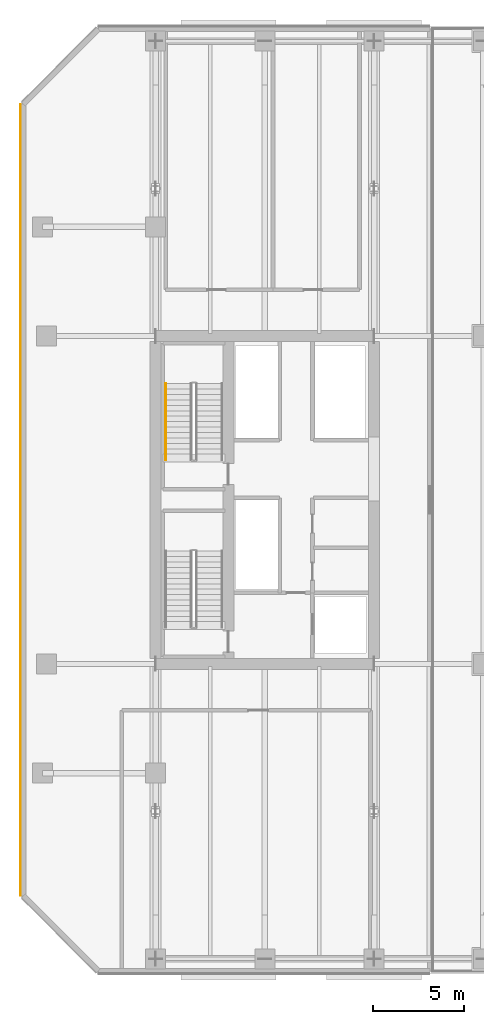
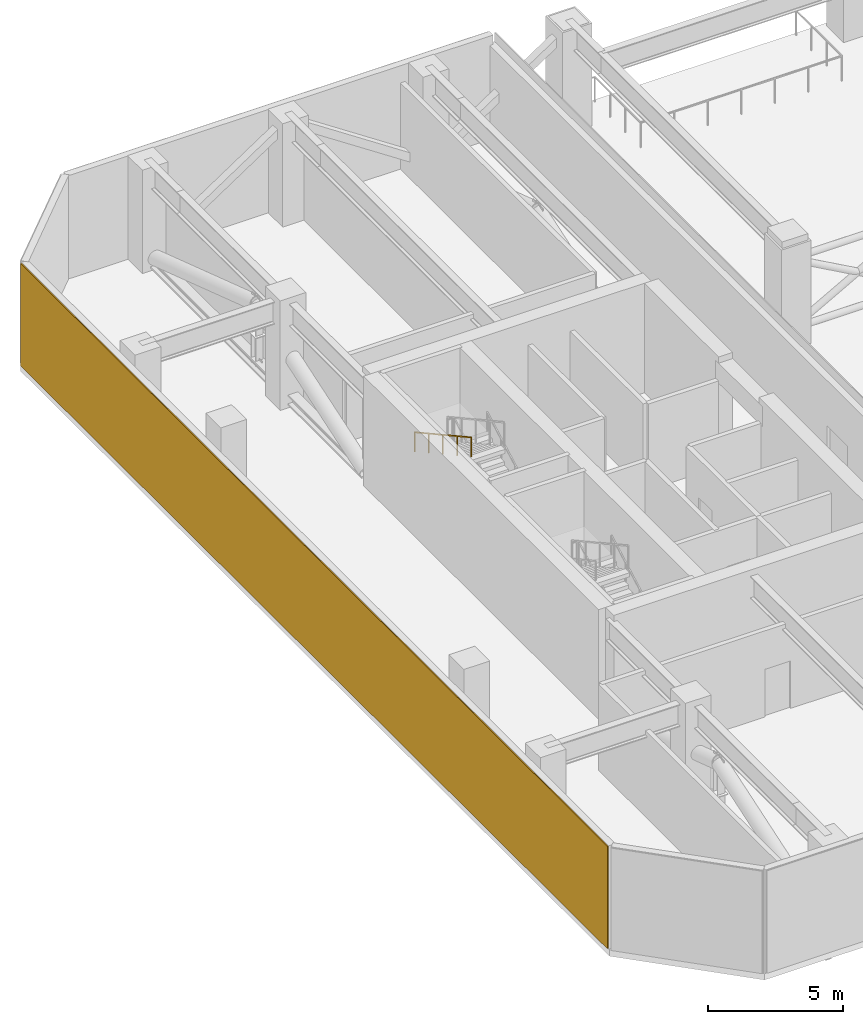
# One storey, part 15 of 22: 1 covering, 1 railing.
"""IFC4 building model written with IfcOpenShell, lengths in metres."""

import ifcopenshell
import ifcopenshell.guid

model = None  # the IFC model being written
_history = None  # IfcOwnerHistory: only IFC2X3 demands one
_inside = {}  # id of a spatial element -> (the spatial element, [elements in it])
_under = {}  # id of a project, library or spatial element -> (it, [spatial elements below it])
_declared = {}  # id of a project -> (the project, [libraries it declares])
_typed = {}  # id of a type object -> (the type object, [elements of that type])
_made_of = {}  # id of a material, layer set ... -> (it, [elements and type objects made of it])


def new_model(schema):
    """Start an empty IFC model of exactly this schema.

    Asked for "IFC4X3", IfcOpenShell would pick the latest addendum, in which some entities
    have other attributes; the version numbers below select the first issue.
    IFC2X3 requires an IfcOwnerHistory on every rooted entity: one is made here for all.
    """
    global model, _history
    if schema == "IFC4X3":
        model = ifcopenshell.file(schema_version=(4, 3, 0, 0))
    else:
        model = ifcopenshell.file(schema=schema)
    _inside.clear()
    _under.clear()
    _declared.clear()
    _typed.clear()
    _made_of.clear()
    _history = None
    if model.schema == "IFC2X3":
        org = make("IfcOrganization", Name="unknown")
        user = make(
            "IfcPersonAndOrganization",
            ThePerson=make("IfcPerson", FamilyName="unknown"),
            TheOrganization=org,
        )
        app = make(
            "IfcApplication",
            ApplicationDeveloper=org,
            Version="unknown",
            ApplicationFullName="unknown",
            ApplicationIdentifier="unknown",
        )
        _history = make(
            "IfcOwnerHistory",
            OwningUser=user,
            OwningApplication=app,
            ChangeAction="ADDED",
            CreationDate=0,
        )
    return model


def make(cls, **values):
    """One entity of the class cls with the attributes given. An attribute that is None is left unset."""
    return model.create_entity(
        cls, **{name: value for name, value in values.items() if value is not None}
    )


def rooted(cls, **values):
    """An entity with a GlobalId (a new one), such as an element, a storey or a relation."""
    return make(cls, GlobalId=ifcopenshell.guid.new(), OwnerHistory=_history, **values)


def si_unit(unit_type, name, prefix=None):
    """IfcSIUnit, for example si_unit("LENGTHUNIT", "METRE", prefix="MILLI")."""
    return make("IfcSIUnit", UnitType=unit_type, Prefix=prefix, Name=name)


def assignment(units):
    """IfcUnitAssignment: the units of a project."""
    return None if units is None else make("IfcUnitAssignment", Units=units)


def point(xyz):
    """IfcCartesianPoint."""
    return None if xyz is None else make("IfcCartesianPoint", Coordinates=xyz)


def direction(xyz):
    """IfcDirection."""
    return None if xyz is None else make("IfcDirection", DirectionRatios=xyz)


def frame(location, z_axis=None, x_axis=None):
    """IfcAxis2Placement3D, a coordinate frame: its origin and axes. An axis left out is left unset."""
    return make(
        "IfcAxis2Placement3D",
        Location=point(location),
        Axis=direction(z_axis),
        RefDirection=direction(x_axis),
    )


def frame_2d(location, x_axis=None):
    """IfcAxis2Placement2D, a coordinate frame in the plane: its origin and x axis."""
    return make(
        "IfcAxis2Placement2D", Location=point(location), RefDirection=direction(x_axis)
    )


def origin():
    """The frame at (0, 0, 0) with its axes left unset."""
    return frame((0.0, 0.0, 0.0))


def origin_2d():
    """The frame at (0, 0) in the plane with its x axis left unset."""
    return frame_2d((0.0, 0.0))


def place(relative_to, where):
    """IfcLocalPlacement: puts the frame where relative to a parent placement (None: the world)."""
    return make(
        "IfcLocalPlacement", PlacementRelTo=relative_to, RelativePlacement=where
    )


def context(
    kind, dimensions, precision=None, world=None, true_north=None, identifier=None
):
    """IfcGeometricRepresentationContext, for example the 3D "Model" context."""
    return make(
        "IfcGeometricRepresentationContext",
        ContextIdentifier=identifier,
        ContextType=kind,
        CoordinateSpaceDimension=dimensions,
        Precision=precision,
        WorldCoordinateSystem=world,
        TrueNorth=true_north,
    )


def subcontext(parent, identifier, kind, view, scale=None):
    """IfcGeometricRepresentationSubContext, for example "Body" below "Model"."""
    return make(
        "IfcGeometricRepresentationSubContext",
        ContextIdentifier=identifier,
        ContextType=kind,
        ParentContext=parent,
        TargetScale=scale,
        TargetView=view,
    )


def project(units=None, contexts=None):
    """IfcProject with its units and contexts."""
    return rooted(
        "IfcProject",
        Name="project",
        RepresentationContexts=contexts,
        UnitsInContext=assignment(units),
    )


def spatial(cls, under=None, at=None, **own):
    """A site, building, storey or space (cls), placed at a placement, below another one or the project."""
    s = rooted(cls, ObjectPlacement=at, **own)
    if under is not None:
        _under.setdefault(under.id(), (under, []))[1].append(s)
    return s


def profile(cls, at=None, kind="AREA", **sizes):
    """A parametric profile (cls). Its sizes go by their IFC names, for example OverallWidth=200.0."""
    return make(cls, ProfileType=kind, Position=at, **sizes)


def rectangle(**sizes):
    """IfcRectangleProfileDef."""
    return profile("IfcRectangleProfileDef", **sizes)


def extrude(swept, where, along, depth):
    """IfcExtrudedAreaSolid: the profile swept, set in the frame where, extruded along a direction by depth."""
    return make(
        "IfcExtrudedAreaSolid",
        SweptArea=swept,
        Position=where,
        ExtrudedDirection=direction(along),
        Depth=depth,
    )


def shape(context_of_items, identifier, shape_type, items):
    """IfcShapeRepresentation: the items that make up one representation, for example the "Body"."""
    return make(
        "IfcShapeRepresentation",
        ContextOfItems=context_of_items,
        RepresentationIdentifier=identifier,
        RepresentationType=shape_type,
        Items=items,
    )


def material(Name=None, Category=None):
    """IfcMaterial."""
    return make("IfcMaterial", Name=Name, Category=Category)


def layer(
    of_material, thickness, ventilated=None, Name=None, Category=None, Priority=None
):
    """IfcMaterialLayer: one layer of a wall or slab, of a material (None: an air gap)."""
    return make(
        "IfcMaterialLayer",
        Material=of_material,
        LayerThickness=thickness,
        IsVentilated=ventilated,
        Name=Name,
        Category=Category,
        Priority=Priority,
    )


def layer_set(layers, Name=None):
    """IfcMaterialLayerSet."""
    return make("IfcMaterialLayerSet", MaterialLayers=layers, LayerSetName=Name)


def made_of(thing, what):
    """Note that an element or type object is made of a material, layer set ...; save() writes the relation."""
    if what is not None:
        _made_of.setdefault(what.id(), (what, []))[1].append(thing)
    return thing


def type_object(cls, material=None, **own):
    """A type object (cls), such as IfcWallType, which elements share."""
    return made_of(rooted(cls, **own), material)


def element(
    cls,
    number,
    at=None,
    inside=None,
    cuts=None,
    type_object=None,
    material=None,
    context=None,
    identifier="Body",
    shape_type=None,
    held_by="IfcProductDefinitionShape",
    body=None,
    shapes=None,
    **own,
):
    """One element of the class cls, such as IfcWall. Its Tag is "e" and its number.

    at: its placement. inside: the storey or other place that contains it. cuts: it is an
    opening in that element (IfcRelVoidsElement). A single representation is given by context,
    identifier, shape_type and body (its items); several are given by shapes. held_by: the class
    of the entity that holds the representations. save() writes the other relations.
    """
    e = rooted(cls, Tag="e%d" % number, ObjectPlacement=at, **own)
    if body is not None:
        shapes = [shape(context, identifier, shape_type, body)]
    if shapes is not None:
        e.Representation = make(held_by, Representations=shapes)
    if inside is not None:
        _inside.setdefault(inside.id(), (inside, []))[1].append(e)
    if cuts is not None:
        rooted(
            "IfcRelVoidsElement", RelatingBuildingElement=cuts, RelatedOpeningElement=e
        )
    if type_object is not None:
        _typed.setdefault(type_object.id(), (type_object, []))[1].append(e)
    return made_of(e, material)


def aggregate(whole, parts):
    """IfcRelAggregates: a whole, such as a stair, and the parts it consists of."""
    return rooted("IfcRelAggregates", RelatingObject=whole, RelatedObjects=parts)


def save(model, path):
    """Write the relations noted so far, then the file.

    IfcRelAggregates (storeys below a building ...), IfcRelContainedInSpatialStructure (elements
    in a storey), IfcRelDefinesByType, IfcRelAssociatesMaterial and IfcRelDeclares: one each for
    every whole, place, type object, material and project.
    """
    for whole, parts in _under.values():
        aggregate(whole, parts)
    for where, things in _inside.values():
        rooted(
            "IfcRelContainedInSpatialStructure",
            RelatedElements=things,
            RelatingStructure=where,
        )
    for kind, things in _typed.values():
        rooted("IfcRelDefinesByType", RelatedObjects=things, RelatingType=kind)
    for what, things in _made_of.values():
        rooted("IfcRelAssociatesMaterial", RelatedObjects=things, RelatingMaterial=what)
    for by, libraries in _declared.values():
        rooted("IfcRelDeclares", RelatingContext=by, RelatedDefinitions=libraries)
    model.write(path)


model = new_model("IFC4")

# Units and contexts
model_context = context("Model", 3, precision=1e-05, world=origin(), true_north=direction((0.0, 1.0)))
body_context = subcontext(model_context, "Body", "Model", "MODEL_VIEW")
ifc_project = project(units=[si_unit("LENGTHUNIT", "METRE"), si_unit("AREAUNIT", "SQUARE_METRE"), si_unit("VOLUMEUNIT", "CUBIC_METRE"), si_unit("PLANEANGLEUNIT", "RADIAN"), si_unit("MASSUNIT", "GRAM", prefix="KILO")], contexts=[model_context])

# Site, building, storey
site_placement = place(None, origin())
site = spatial("IfcSite", under=ifc_project, at=site_placement, CompositionType="ELEMENT")
building_placement = place(site_placement, origin())
building = spatial("IfcBuilding", under=site, at=building_placement, Name="Tanjung Sevakor Pilgrim Tower", CompositionType="ELEMENT")
storey_placement = place(building_placement, frame((0.0, 0.0, 73.260009765625)))
storey = spatial("IfcBuildingStorey", under=building, at=storey_placement, Name="L20", CompositionType="ELEMENT", Elevation=73.260009765625)

# Covering
ifc_material_1 = material(Name="Reconstructed Limestone Cladding", Category="masonry")
ifc_layer = layer(ifc_material_1, 0.044921875)
ifc_layer_set = layer_set([ifc_layer], Name="COV-CLAD-LIMESTONE")
covering_type = type_object("IfcCoveringType", Name="COV-CLAD-LIMESTONE", PredefinedType="CLADDING", material=ifc_layer_set)
covering_placement = place(storey_placement, frame((16.577392578125, 33.60009765625, 0.02001953125), z_axis=(0.0, 0.0, 1.0), x_axis=(0.0, -1.0, 0.0)))
element("IfcCovering", 1, at=covering_placement, inside=storey, type_object=covering_type, Name="L20 Warm Limestone Wall Cladding EW-RFW-L20-5", PredefinedType="CLADDING", context=body_context, shape_type="SweptSolid", body=[
    extrude(rectangle(XDim=43.444091796875, YDim=0.044921875, at=origin_2d()), origin(), (0.0, 0.0, 1.0), 4.6298828125),
])

# Railing
ifc_material_2 = material(Name="Steel S355J2", Category="steel")
railing_type = type_object("IfcRailingType", Name="RL-STAIR-HAND", PredefinedType="HANDRAIL", material=ifc_material_2)
railing_placement = place(storey_placement, frame((24.550048828125, 40.0, 2.639892578125)))
element("IfcRailing", 2, at=railing_placement, inside=storey, type_object=railing_type, Name="L20 TS-W2 stair handrail 2", PredefinedType="HANDRAIL", context=body_context, shape_type="SweptSolid", body=[
    extrude(rectangle(XDim=0.0479, YDim=0.0479), frame((0.0, 0.0, 0.8759765625), z_axis=(0.0, -0.876208380975, 0.481932436249), x_axis=(1.0, 0.0, 0.0)), (0.0, 0.0, 1.0), 4.793212890625),
    extrude(rectangle(XDim=0.042, YDim=0.042), origin(), (0.0, 0.0, 1.0), 0.851806640625),
    extrude(rectangle(XDim=0.042, YDim=0.042), frame((0.0, -1.050048828125, 0.57763671875)), (0.0, 0.0, 1.0), 0.851806640625),
    extrude(rectangle(XDim=0.042, YDim=0.042), frame((0.0, -2.10009765625, 1.155029296875)), (0.0, 0.0, 1.0), 0.851806640625),
    extrude(rectangle(XDim=0.042, YDim=0.042), frame((0.0, -3.14990234375, 1.732421875)), (0.0, 0.0, 1.0), 0.851806640625),
    extrude(rectangle(XDim=0.042, YDim=0.042), frame((0.0, -4.199951171875, 2.31005859375)), (0.0, 0.0, 1.0), 0.851806640625),
])

save(model, "model.ifc")
